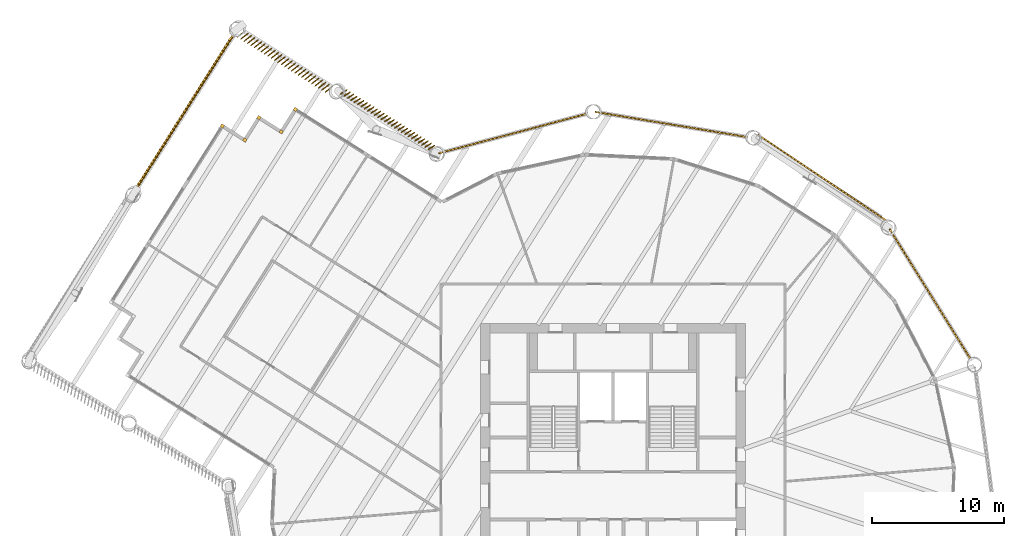
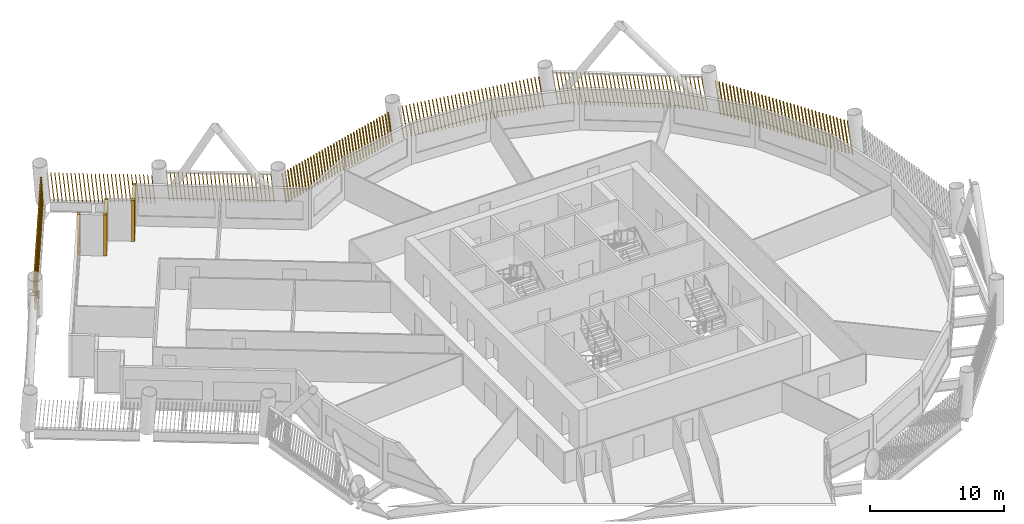
# One storey, part 21 of 22: 12 shading devices.
"""IFC4 building model written with IfcOpenShell, lengths in metres."""

from ifc_helpers import new_model, si_unit, direction, frame, frame_2d, origin, origin_2d, place, context, subcontext, project, spatial, rectangle, composite_profile, extrude, material, type_object, element, save


model = new_model("IFC4")

# Units and contexts
model_context = context("Model", 3, precision=1e-05, world=origin(), true_north=direction((0.0, 1.0)))
body_context = subcontext(model_context, "Body", "Model", "MODEL_VIEW")
ifc_project = project(units=[si_unit("LENGTHUNIT", "METRE"), si_unit("AREAUNIT", "SQUARE_METRE"), si_unit("VOLUMEUNIT", "CUBIC_METRE"), si_unit("PLANEANGLEUNIT", "RADIAN"), si_unit("MASSUNIT", "GRAM", prefix="KILO")], contexts=[model_context])

# Site, building, storey
site_placement = place(None, origin())
site = spatial("IfcSite", under=ifc_project, at=site_placement, CompositionType="ELEMENT")
building_placement = place(site_placement, origin())
building = spatial("IfcBuilding", under=site, at=building_placement, Name="Tarsis Ring Headquarters", CompositionType="ELEMENT")
storey_placement = place(building_placement, frame((0.0, 0.0, 147.60009765625)))
storey = spatial("IfcBuildingStorey", under=building, at=storey_placement, Name="L33", CompositionType="ELEMENT", Elevation=147.60009765625)

# Shading devices
ifc_material = material(Name="Terracotta baguette", Category="masonry")
shading_device_type_1 = type_object("IfcShadingDeviceType", Name="Terracotta baguette screen", PredefinedType="USERDEFINED", material=ifc_material)
shading_device_1_placement = place(storey_placement, frame((27.0771484375, 10.235595703125, 0.0), z_axis=(0.0, 0.0, 1.0), x_axis=(-0.528604913621, 0.848858407848, 0.0)))
element("IfcShadingDevice", 1, at=shading_device_1_placement, inside=storey, type_object=shading_device_type_1, Name="Baguette screen L33-11", ObjectType="Terracotta baguette screen", PredefinedType="USERDEFINED", context=body_context, shape_type="SweptSolid", body=[
    extrude(composite_profile([rectangle(XDim=0.06005859375, YDim=0.1201171875, at=frame_2d((0.030029296875, 0.0))), rectangle(XDim=0.06005859375, YDim=0.1201171875, at=frame_2d((0.33251953125, 0.0))), rectangle(XDim=0.06005859375, YDim=0.1201171875, at=frame_2d((0.634765625, 0.0))), rectangle(XDim=0.06005859375, YDim=0.1201171875, at=frame_2d((0.937255859375, 0.0))), rectangle(XDim=0.06005859375, YDim=0.1201171875, at=frame_2d((1.239501953125, 0.0))), rectangle(XDim=0.06005859375, YDim=0.1201171875, at=frame_2d((1.5419921875, 0.0))), rectangle(XDim=0.06005859375, YDim=0.1201171875, at=frame_2d((1.844482421875, 0.0))), rectangle(XDim=0.06005859375, YDim=0.1201171875, at=frame_2d((2.146728515625, 0.0))), rectangle(XDim=0.06005859375, YDim=0.1201171875, at=frame_2d((2.44921875, 0.0))), rectangle(XDim=0.06005859375, YDim=0.1201171875, at=frame_2d((2.751708984375, 0.0))), rectangle(XDim=0.06005859375, YDim=0.1201171875, at=frame_2d((3.053955078125, 0.0))), rectangle(XDim=0.06005859375, YDim=0.1201171875, at=frame_2d((3.3564453125, 0.0))), rectangle(XDim=0.06005859375, YDim=0.1201171875, at=frame_2d((3.65869140625, 0.0))), rectangle(XDim=0.06005859375, YDim=0.1201171875, at=frame_2d((3.961181640625, 0.0))), rectangle(XDim=0.06005859375, YDim=0.1201171875, at=frame_2d((4.263671875, 0.0))), rectangle(XDim=0.06005859375, YDim=0.1201171875, at=frame_2d((4.56591796875, 0.0))), rectangle(XDim=0.06005859375, YDim=0.1201171875, at=frame_2d((4.868408203125, 0.0))), rectangle(XDim=0.06005859375, YDim=0.1201171875, at=frame_2d((5.1708984375, 0.0))), rectangle(XDim=0.06005859375, YDim=0.1201171875, at=frame_2d((5.47314453125, 0.0))), rectangle(XDim=0.06005859375, YDim=0.1201171875, at=frame_2d((5.775634765625, 0.0))), rectangle(XDim=0.06005859375, YDim=0.1201171875, at=frame_2d((6.077880859375, 0.0))), rectangle(XDim=0.06005859375, YDim=0.1201171875, at=frame_2d((6.38037109375, 0.0))), rectangle(XDim=0.06005859375, YDim=0.1201171875, at=frame_2d((6.682861328125, 0.0))), rectangle(XDim=0.06005859375, YDim=0.1201171875, at=frame_2d((6.985107421875, 0.0))), rectangle(XDim=0.06005859375, YDim=0.1201171875, at=frame_2d((7.28759765625, 0.0))), rectangle(XDim=0.06005859375, YDim=0.1201171875, at=frame_2d((7.590087890625, 0.0))), rectangle(XDim=0.06005859375, YDim=0.1201171875, at=frame_2d((7.892333984375, 0.0))), rectangle(XDim=0.06005859375, YDim=0.1201171875, at=frame_2d((8.19482421875, 0.0))), rectangle(XDim=0.06005859375, YDim=0.1201171875, at=frame_2d((8.4970703125, 0.0))), rectangle(XDim=0.06005859375, YDim=0.1201171875, at=frame_2d((8.799560546875, 0.0))), rectangle(XDim=0.06005859375, YDim=0.1201171875, at=frame_2d((9.10205078125, 0.0))), rectangle(XDim=0.06005859375, YDim=0.1201171875, at=frame_2d((9.404296875, 0.0))), rectangle(XDim=0.06005859375, YDim=0.1201171875, at=frame_2d((9.706787109375, 0.0))), rectangle(XDim=0.06005859375, YDim=0.1201171875, at=frame_2d((10.00927734375, 0.0))), rectangle(XDim=0.06005859375, YDim=0.1201171875, at=frame_2d((10.3115234375, 0.0))), rectangle(XDim=0.06005859375, YDim=0.1201171875, at=frame_2d((10.614013671875, 0.0))), rectangle(XDim=0.06005859375, YDim=0.1201171875, at=frame_2d((10.916259765625, 0.0))), rectangle(XDim=0.06005859375, YDim=0.1201171875, at=frame_2d((11.21875, 0.0)))]), origin(), (0.149494784942, 0.001173343351, 0.988761817902), 2.9833984375),
])
shading_device_2_placement = place(storey_placement, frame((20.6591796875, 20.79833984375, 0.0), z_axis=(0.0, 0.0, 1.0), x_axis=(-0.831495789565, 0.555516971959, 0.0)))
element("IfcShadingDevice", 2, at=shading_device_2_placement, inside=storey, type_object=shading_device_type_1, Name="Baguette screen L33-12", ObjectType="Terracotta baguette screen", PredefinedType="USERDEFINED", context=body_context, shape_type="SweptSolid", body=[
    extrude(composite_profile([rectangle(XDim=0.06005859375, YDim=0.1201171875, at=frame_2d((0.030029296875, 0.0))), rectangle(XDim=0.06005859375, YDim=0.1201171875, at=frame_2d((0.33251953125, 0.0))), rectangle(XDim=0.06005859375, YDim=0.1201171875, at=frame_2d((0.634765625, 0.0))), rectangle(XDim=0.06005859375, YDim=0.1201171875, at=frame_2d((0.937255859375, 0.0))), rectangle(XDim=0.06005859375, YDim=0.1201171875, at=frame_2d((1.239501953125, 0.0))), rectangle(XDim=0.06005859375, YDim=0.1201171875, at=frame_2d((1.5419921875, 0.0))), rectangle(XDim=0.06005859375, YDim=0.1201171875, at=frame_2d((1.844482421875, 0.0))), rectangle(XDim=0.06005859375, YDim=0.1201171875, at=frame_2d((2.146728515625, 0.0))), rectangle(XDim=0.06005859375, YDim=0.1201171875, at=frame_2d((2.44921875, 0.0))), rectangle(XDim=0.06005859375, YDim=0.1201171875, at=frame_2d((2.751708984375, 0.0))), rectangle(XDim=0.06005859375, YDim=0.1201171875, at=frame_2d((3.053955078125, 0.0))), rectangle(XDim=0.06005859375, YDim=0.1201171875, at=frame_2d((3.3564453125, 0.0))), rectangle(XDim=0.06005859375, YDim=0.1201171875, at=frame_2d((3.65869140625, 0.0))), rectangle(XDim=0.06005859375, YDim=0.1201171875, at=frame_2d((3.961181640625, 0.0))), rectangle(XDim=0.06005859375, YDim=0.1201171875, at=frame_2d((4.263671875, 0.0))), rectangle(XDim=0.06005859375, YDim=0.1201171875, at=frame_2d((4.56591796875, 0.0))), rectangle(XDim=0.06005859375, YDim=0.1201171875, at=frame_2d((4.868408203125, 0.0))), rectangle(XDim=0.06005859375, YDim=0.1201171875, at=frame_2d((5.1708984375, 0.0))), rectangle(XDim=0.06005859375, YDim=0.1201171875, at=frame_2d((5.47314453125, 0.0))), rectangle(XDim=0.06005859375, YDim=0.1201171875, at=frame_2d((5.775634765625, 0.0))), rectangle(XDim=0.06005859375, YDim=0.1201171875, at=frame_2d((6.077880859375, 0.0))), rectangle(XDim=0.06005859375, YDim=0.1201171875, at=frame_2d((6.38037109375, 0.0))), rectangle(XDim=0.06005859375, YDim=0.1201171875, at=frame_2d((6.682861328125, 0.0))), rectangle(XDim=0.06005859375, YDim=0.1201171875, at=frame_2d((6.985107421875, 0.0))), rectangle(XDim=0.06005859375, YDim=0.1201171875, at=frame_2d((7.28759765625, 0.0))), rectangle(XDim=0.06005859375, YDim=0.1201171875, at=frame_2d((7.590087890625, 0.0))), rectangle(XDim=0.06005859375, YDim=0.1201171875, at=frame_2d((7.892333984375, 0.0))), rectangle(XDim=0.06005859375, YDim=0.1201171875, at=frame_2d((8.19482421875, 0.0))), rectangle(XDim=0.06005859375, YDim=0.1201171875, at=frame_2d((8.4970703125, 0.0))), rectangle(XDim=0.06005859375, YDim=0.1201171875, at=frame_2d((8.799560546875, 0.0))), rectangle(XDim=0.06005859375, YDim=0.1201171875, at=frame_2d((9.10205078125, 0.0))), rectangle(XDim=0.06005859375, YDim=0.1201171875, at=frame_2d((9.404296875, 0.0))), rectangle(XDim=0.06005859375, YDim=0.1201171875, at=frame_2d((9.706787109375, 0.0))), rectangle(XDim=0.06005859375, YDim=0.1201171875, at=frame_2d((10.00927734375, 0.0))), rectangle(XDim=0.06005859375, YDim=0.1201171875, at=frame_2d((10.3115234375, 0.0))), rectangle(XDim=0.06005859375, YDim=0.1201171875, at=frame_2d((10.614013671875, 0.0))), rectangle(XDim=0.06005859375, YDim=0.1201171875, at=frame_2d((10.916259765625, 0.0))), rectangle(XDim=0.06005859375, YDim=0.1201171875, at=frame_2d((11.21875, 0.0)))]), origin(), (0.151423989456, 0.001190248316, 0.988468188019), 2.984375),
])
shading_device_3_placement = place(storey_placement, frame((10.1884765625, 27.094970703125, 0.0), z_axis=(0.0, 0.0, 1.0), x_axis=(-0.986565382528, 0.163385784048, 0.0)))
element("IfcShadingDevice", 3, at=shading_device_3_placement, inside=storey, type_object=shading_device_type_1, Name="Baguette screen L33-13", ObjectType="Terracotta baguette screen", PredefinedType="USERDEFINED", context=body_context, shape_type="SweptSolid", body=[
    extrude(composite_profile([rectangle(XDim=0.06005859375, YDim=0.1201171875, at=frame_2d((0.030029296875, 0.0))), rectangle(XDim=0.06005859375, YDim=0.1201171875, at=frame_2d((0.33251953125, 0.0))), rectangle(XDim=0.06005859375, YDim=0.1201171875, at=frame_2d((0.634765625, 0.0))), rectangle(XDim=0.06005859375, YDim=0.1201171875, at=frame_2d((0.937255859375, 0.0))), rectangle(XDim=0.06005859375, YDim=0.1201171875, at=frame_2d((1.239501953125, 0.0))), rectangle(XDim=0.06005859375, YDim=0.1201171875, at=frame_2d((1.5419921875, 0.0))), rectangle(XDim=0.06005859375, YDim=0.1201171875, at=frame_2d((1.844482421875, 0.0))), rectangle(XDim=0.06005859375, YDim=0.1201171875, at=frame_2d((2.146728515625, 0.0))), rectangle(XDim=0.06005859375, YDim=0.1201171875, at=frame_2d((2.44921875, 0.0))), rectangle(XDim=0.06005859375, YDim=0.1201171875, at=frame_2d((2.751708984375, 0.0))), rectangle(XDim=0.06005859375, YDim=0.1201171875, at=frame_2d((3.053955078125, 0.0))), rectangle(XDim=0.06005859375, YDim=0.1201171875, at=frame_2d((3.3564453125, 0.0))), rectangle(XDim=0.06005859375, YDim=0.1201171875, at=frame_2d((3.65869140625, 0.0))), rectangle(XDim=0.06005859375, YDim=0.1201171875, at=frame_2d((3.961181640625, 0.0))), rectangle(XDim=0.06005859375, YDim=0.1201171875, at=frame_2d((4.263671875, 0.0))), rectangle(XDim=0.06005859375, YDim=0.1201171875, at=frame_2d((4.56591796875, 0.0))), rectangle(XDim=0.06005859375, YDim=0.1201171875, at=frame_2d((4.868408203125, 0.0))), rectangle(XDim=0.06005859375, YDim=0.1201171875, at=frame_2d((5.1708984375, 0.0))), rectangle(XDim=0.06005859375, YDim=0.1201171875, at=frame_2d((5.47314453125, 0.0))), rectangle(XDim=0.06005859375, YDim=0.1201171875, at=frame_2d((5.775634765625, 0.0))), rectangle(XDim=0.06005859375, YDim=0.1201171875, at=frame_2d((6.077880859375, 0.0))), rectangle(XDim=0.06005859375, YDim=0.1201171875, at=frame_2d((6.38037109375, 0.0))), rectangle(XDim=0.06005859375, YDim=0.1201171875, at=frame_2d((6.682861328125, 0.0))), rectangle(XDim=0.06005859375, YDim=0.1201171875, at=frame_2d((6.985107421875, 0.0))), rectangle(XDim=0.06005859375, YDim=0.1201171875, at=frame_2d((7.28759765625, 0.0))), rectangle(XDim=0.06005859375, YDim=0.1201171875, at=frame_2d((7.590087890625, 0.0))), rectangle(XDim=0.06005859375, YDim=0.1201171875, at=frame_2d((7.892333984375, 0.0))), rectangle(XDim=0.06005859375, YDim=0.1201171875, at=frame_2d((8.19482421875, 0.0))), rectangle(XDim=0.06005859375, YDim=0.1201171875, at=frame_2d((8.4970703125, 0.0))), rectangle(XDim=0.06005859375, YDim=0.1201171875, at=frame_2d((8.799560546875, 0.0))), rectangle(XDim=0.06005859375, YDim=0.1201171875, at=frame_2d((9.10205078125, 0.0))), rectangle(XDim=0.06005859375, YDim=0.1201171875, at=frame_2d((9.404296875, 0.0))), rectangle(XDim=0.06005859375, YDim=0.1201171875, at=frame_2d((9.706787109375, 0.0))), rectangle(XDim=0.06005859375, YDim=0.1201171875, at=frame_2d((10.00927734375, 0.0))), rectangle(XDim=0.06005859375, YDim=0.1201171875, at=frame_2d((10.3115234375, 0.0))), rectangle(XDim=0.06005859375, YDim=0.1201171875, at=frame_2d((10.614013671875, 0.0))), rectangle(XDim=0.06005859375, YDim=0.1201171875, at=frame_2d((10.916259765625, 0.0))), rectangle(XDim=0.06005859375, YDim=0.1201171875, at=frame_2d((11.21875, 0.0)))]), origin(), (0.149496137783, 0.001173374656, 0.988761613322), 2.9833984375),
])
shading_device_4_placement = place(storey_placement, frame((-1.8857421875, 28.8857421875, 0.0), z_axis=(0.0, 0.0, 1.0), x_axis=(-0.966207270754, -0.257797069995, 0.0)))
element("IfcShadingDevice", 4, at=shading_device_4_placement, inside=storey, type_object=shading_device_type_1, Name="Baguette screen L33-14", ObjectType="Terracotta baguette screen", PredefinedType="USERDEFINED", context=body_context, shape_type="SweptSolid", body=[
    extrude(composite_profile([rectangle(XDim=0.06005859375, YDim=0.1201171875, at=frame_2d((0.030029296875, 0.0))), rectangle(XDim=0.06005859375, YDim=0.1201171875, at=frame_2d((0.33251953125, 0.0))), rectangle(XDim=0.06005859375, YDim=0.1201171875, at=frame_2d((0.634765625, 0.0))), rectangle(XDim=0.06005859375, YDim=0.1201171875, at=frame_2d((0.937255859375, 0.0))), rectangle(XDim=0.06005859375, YDim=0.1201171875, at=frame_2d((1.239501953125, 0.0))), rectangle(XDim=0.06005859375, YDim=0.1201171875, at=frame_2d((1.5419921875, 0.0))), rectangle(XDim=0.06005859375, YDim=0.1201171875, at=frame_2d((1.844482421875, 0.0))), rectangle(XDim=0.06005859375, YDim=0.1201171875, at=frame_2d((2.146728515625, 0.0))), rectangle(XDim=0.06005859375, YDim=0.1201171875, at=frame_2d((2.44921875, 0.0))), rectangle(XDim=0.06005859375, YDim=0.1201171875, at=frame_2d((2.751708984375, 0.0))), rectangle(XDim=0.06005859375, YDim=0.1201171875, at=frame_2d((3.053955078125, 0.0))), rectangle(XDim=0.06005859375, YDim=0.1201171875, at=frame_2d((3.3564453125, 0.0))), rectangle(XDim=0.06005859375, YDim=0.1201171875, at=frame_2d((3.65869140625, 0.0))), rectangle(XDim=0.06005859375, YDim=0.1201171875, at=frame_2d((3.961181640625, 0.0))), rectangle(XDim=0.06005859375, YDim=0.1201171875, at=frame_2d((4.263671875, 0.0))), rectangle(XDim=0.06005859375, YDim=0.1201171875, at=frame_2d((4.56591796875, 0.0))), rectangle(XDim=0.06005859375, YDim=0.1201171875, at=frame_2d((4.868408203125, 0.0))), rectangle(XDim=0.06005859375, YDim=0.1201171875, at=frame_2d((5.1708984375, 0.0))), rectangle(XDim=0.06005859375, YDim=0.1201171875, at=frame_2d((5.47314453125, 0.0))), rectangle(XDim=0.06005859375, YDim=0.1201171875, at=frame_2d((5.775634765625, 0.0))), rectangle(XDim=0.06005859375, YDim=0.1201171875, at=frame_2d((6.077880859375, 0.0))), rectangle(XDim=0.06005859375, YDim=0.1201171875, at=frame_2d((6.38037109375, 0.0))), rectangle(XDim=0.06005859375, YDim=0.1201171875, at=frame_2d((6.682861328125, 0.0))), rectangle(XDim=0.06005859375, YDim=0.1201171875, at=frame_2d((6.985107421875, 0.0))), rectangle(XDim=0.06005859375, YDim=0.1201171875, at=frame_2d((7.28759765625, 0.0))), rectangle(XDim=0.06005859375, YDim=0.1201171875, at=frame_2d((7.590087890625, 0.0))), rectangle(XDim=0.06005859375, YDim=0.1201171875, at=frame_2d((7.892333984375, 0.0))), rectangle(XDim=0.06005859375, YDim=0.1201171875, at=frame_2d((8.19482421875, 0.0))), rectangle(XDim=0.06005859375, YDim=0.1201171875, at=frame_2d((8.4970703125, 0.0))), rectangle(XDim=0.06005859375, YDim=0.1201171875, at=frame_2d((8.799560546875, 0.0))), rectangle(XDim=0.06005859375, YDim=0.1201171875, at=frame_2d((9.10205078125, 0.0))), rectangle(XDim=0.06005859375, YDim=0.1201171875, at=frame_2d((9.404296875, 0.0))), rectangle(XDim=0.06005859375, YDim=0.1201171875, at=frame_2d((9.706787109375, 0.0))), rectangle(XDim=0.06005859375, YDim=0.1201171875, at=frame_2d((10.00927734375, 0.0))), rectangle(XDim=0.06005859375, YDim=0.1201171875, at=frame_2d((10.3115234375, 0.0))), rectangle(XDim=0.06005859375, YDim=0.1201171875, at=frame_2d((10.614013671875, 0.0))), rectangle(XDim=0.06005859375, YDim=0.1201171875, at=frame_2d((10.916259765625, 0.0))), rectangle(XDim=0.06005859375, YDim=0.1201171875, at=frame_2d((11.21875, 0.0)))]), origin(), (0.14949721228, 0.001172762624, 0.988761451589), 2.9833984375),
])
shading_device_5_placement = place(storey_placement, frame((-13.4599609375, 26.441162109375, 0.0), z_axis=(0.0, 0.0, 1.0), x_axis=(-0.845650024716, 0.533737024221, 0.0)))
element("IfcShadingDevice", 5, at=shading_device_5_placement, inside=storey, type_object=shading_device_type_1, Name="Baguette screen L33-15", ObjectType="Terracotta baguette screen", PredefinedType="USERDEFINED", context=body_context, shape_type="SweptSolid", body=[
    extrude(composite_profile([rectangle(XDim=0.06005859375, YDim=0.1201171875, at=frame_2d((0.030029296875, 0.0))), rectangle(XDim=0.06005859375, YDim=0.1201171875, at=frame_2d((0.33154296875, 0.0))), rectangle(XDim=0.06005859375, YDim=0.1201171875, at=frame_2d((0.63330078125, 0.0))), rectangle(XDim=0.06005859375, YDim=0.1201171875, at=frame_2d((0.934814453125, 0.0))), rectangle(XDim=0.06005859375, YDim=0.1201171875, at=frame_2d((1.236572265625, 0.0))), rectangle(XDim=0.06005859375, YDim=0.1201171875, at=frame_2d((1.5380859375, 0.0))), rectangle(XDim=0.06005859375, YDim=0.1201171875, at=frame_2d((1.83984375, 0.0))), rectangle(XDim=0.06005859375, YDim=0.1201171875, at=frame_2d((2.141357421875, 0.0))), rectangle(XDim=0.06005859375, YDim=0.1201171875, at=frame_2d((2.443115234375, 0.0))), rectangle(XDim=0.06005859375, YDim=0.1201171875, at=frame_2d((2.74462890625, 0.0))), rectangle(XDim=0.06005859375, YDim=0.1201171875, at=frame_2d((3.04638671875, 0.0))), rectangle(XDim=0.06005859375, YDim=0.1201171875, at=frame_2d((3.347900390625, 0.0))), rectangle(XDim=0.06005859375, YDim=0.1201171875, at=frame_2d((3.649658203125, 0.0))), rectangle(XDim=0.06005859375, YDim=0.1201171875, at=frame_2d((3.951171875, 0.0))), rectangle(XDim=0.06005859375, YDim=0.1201171875, at=frame_2d((4.252685546875, 0.0))), rectangle(XDim=0.06005859375, YDim=0.1201171875, at=frame_2d((4.554443359375, 0.0))), rectangle(XDim=0.06005859375, YDim=0.1201171875, at=frame_2d((4.85595703125, 0.0))), rectangle(XDim=0.06005859375, YDim=0.1201171875, at=frame_2d((5.15771484375, 0.0))), rectangle(XDim=0.06005859375, YDim=0.1201171875, at=frame_2d((5.459228515625, 0.0))), rectangle(XDim=0.06005859375, YDim=0.1201171875, at=frame_2d((5.760986328125, 0.0))), rectangle(XDim=0.06005859375, YDim=0.1201171875, at=frame_2d((6.0625, 0.0))), rectangle(XDim=0.06005859375, YDim=0.1201171875, at=frame_2d((6.3642578125, 0.0))), rectangle(XDim=0.06005859375, YDim=0.1201171875, at=frame_2d((6.665771484375, 0.0))), rectangle(XDim=0.06005859375, YDim=0.1201171875, at=frame_2d((6.967529296875, 0.0))), rectangle(XDim=0.06005859375, YDim=0.1201171875, at=frame_2d((7.26904296875, 0.0))), rectangle(XDim=0.06005859375, YDim=0.1201171875, at=frame_2d((7.57080078125, 0.0))), rectangle(XDim=0.06005859375, YDim=0.1201171875, at=frame_2d((7.872314453125, 0.0)))]), origin(), (0.078364363456, 0.155030669818, 0.98479668864), 2.99560546875),
])
shading_device_6_placement = place(storey_placement, frame((-21.188232421875, 30.875732421875, 0.0), z_axis=(0.0, 0.0, 1.0), x_axis=(-0.845645255971, 0.533753514382, 0.0)))
element("IfcShadingDevice", 6, at=shading_device_6_placement, inside=storey, type_object=shading_device_type_1, Name="Baguette screen L33-16", ObjectType="Terracotta baguette screen", PredefinedType="USERDEFINED", context=body_context, shape_type="SweptSolid", body=[
    extrude(composite_profile([rectangle(XDim=0.06005859375, YDim=0.1201171875, at=frame_2d((0.030029296875, 0.0))), rectangle(XDim=0.06005859375, YDim=0.1201171875, at=frame_2d((0.33154296875, 0.0))), rectangle(XDim=0.06005859375, YDim=0.1201171875, at=frame_2d((0.63330078125, 0.0))), rectangle(XDim=0.06005859375, YDim=0.1201171875, at=frame_2d((0.934814453125, 0.0))), rectangle(XDim=0.06005859375, YDim=0.1201171875, at=frame_2d((1.236572265625, 0.0))), rectangle(XDim=0.06005859375, YDim=0.1201171875, at=frame_2d((1.5380859375, 0.0))), rectangle(XDim=0.06005859375, YDim=0.1201171875, at=frame_2d((1.83984375, 0.0))), rectangle(XDim=0.06005859375, YDim=0.1201171875, at=frame_2d((2.141357421875, 0.0))), rectangle(XDim=0.06005859375, YDim=0.1201171875, at=frame_2d((2.443115234375, 0.0))), rectangle(XDim=0.06005859375, YDim=0.1201171875, at=frame_2d((2.74462890625, 0.0))), rectangle(XDim=0.06005859375, YDim=0.1201171875, at=frame_2d((3.04638671875, 0.0))), rectangle(XDim=0.06005859375, YDim=0.1201171875, at=frame_2d((3.347900390625, 0.0))), rectangle(XDim=0.06005859375, YDim=0.1201171875, at=frame_2d((3.649658203125, 0.0))), rectangle(XDim=0.06005859375, YDim=0.1201171875, at=frame_2d((3.951171875, 0.0))), rectangle(XDim=0.06005859375, YDim=0.1201171875, at=frame_2d((4.252685546875, 0.0))), rectangle(XDim=0.06005859375, YDim=0.1201171875, at=frame_2d((4.554443359375, 0.0))), rectangle(XDim=0.06005859375, YDim=0.1201171875, at=frame_2d((4.85595703125, 0.0))), rectangle(XDim=0.06005859375, YDim=0.1201171875, at=frame_2d((5.15771484375, 0.0))), rectangle(XDim=0.06005859375, YDim=0.1201171875, at=frame_2d((5.459228515625, 0.0))), rectangle(XDim=0.06005859375, YDim=0.1201171875, at=frame_2d((5.760986328125, 0.0))), rectangle(XDim=0.06005859375, YDim=0.1201171875, at=frame_2d((6.0625, 0.0))), rectangle(XDim=0.06005859375, YDim=0.1201171875, at=frame_2d((6.3642578125, 0.0))), rectangle(XDim=0.06005859375, YDim=0.1201171875, at=frame_2d((6.665771484375, 0.0))), rectangle(XDim=0.06005859375, YDim=0.1201171875, at=frame_2d((6.967529296875, 0.0))), rectangle(XDim=0.06005859375, YDim=0.1201171875, at=frame_2d((7.26904296875, 0.0))), rectangle(XDim=0.06005859375, YDim=0.1201171875, at=frame_2d((7.57080078125, 0.0))), rectangle(XDim=0.06005859375, YDim=0.1201171875, at=frame_2d((7.872314453125, 0.0)))]), origin(), (0.075417963015, 0.200074762574, 0.976873697177), 3.019775390625),
])
shading_device_7_placement = place(storey_placement, frame((-28.560302734375, 34.9375, 0.0), z_axis=(0.0, 0.0, 1.0), x_axis=(-0.533763821318, -0.845625829279, 0.0)))
element("IfcShadingDevice", 7, at=shading_device_7_placement, inside=storey, type_object=shading_device_type_1, Name="Baguette screen L33-17", ObjectType="Terracotta baguette screen", PredefinedType="USERDEFINED", context=body_context, shape_type="SweptSolid", body=[
    extrude(composite_profile([rectangle(XDim=0.06005859375, YDim=0.1201171875, at=frame_2d((0.030029296875, 0.0))), rectangle(XDim=0.06005859375, YDim=0.1201171875, at=frame_2d((0.33544921875, 0.0))), rectangle(XDim=0.06005859375, YDim=0.1201171875, at=frame_2d((0.640625, 0.0))), rectangle(XDim=0.06005859375, YDim=0.1201171875, at=frame_2d((0.946044921875, 0.0))), rectangle(XDim=0.06005859375, YDim=0.1201171875, at=frame_2d((1.25146484375, 0.0))), rectangle(XDim=0.06005859375, YDim=0.1201171875, at=frame_2d((1.556640625, 0.0))), rectangle(XDim=0.06005859375, YDim=0.1201171875, at=frame_2d((1.862060546875, 0.0))), rectangle(XDim=0.06005859375, YDim=0.1201171875, at=frame_2d((2.16748046875, 0.0))), rectangle(XDim=0.06005859375, YDim=0.1201171875, at=frame_2d((2.47265625, 0.0))), rectangle(XDim=0.06005859375, YDim=0.1201171875, at=frame_2d((2.778076171875, 0.0))), rectangle(XDim=0.06005859375, YDim=0.1201171875, at=frame_2d((3.08349609375, 0.0))), rectangle(XDim=0.06005859375, YDim=0.1201171875, at=frame_2d((3.388671875, 0.0))), rectangle(XDim=0.06005859375, YDim=0.1201171875, at=frame_2d((3.694091796875, 0.0))), rectangle(XDim=0.06005859375, YDim=0.1201171875, at=frame_2d((3.99951171875, 0.0))), rectangle(XDim=0.06005859375, YDim=0.1201171875, at=frame_2d((4.3046875, 0.0))), rectangle(XDim=0.06005859375, YDim=0.1201171875, at=frame_2d((4.610107421875, 0.0))), rectangle(XDim=0.06005859375, YDim=0.1201171875, at=frame_2d((4.91552734375, 0.0))), rectangle(XDim=0.06005859375, YDim=0.1201171875, at=frame_2d((5.220703125, 0.0))), rectangle(XDim=0.06005859375, YDim=0.1201171875, at=frame_2d((5.526123046875, 0.0))), rectangle(XDim=0.06005859375, YDim=0.1201171875, at=frame_2d((5.83154296875, 0.0))), rectangle(XDim=0.06005859375, YDim=0.1201171875, at=frame_2d((6.13671875, 0.0))), rectangle(XDim=0.06005859375, YDim=0.1201171875, at=frame_2d((6.442138671875, 0.0))), rectangle(XDim=0.06005859375, YDim=0.1201171875, at=frame_2d((6.74755859375, 0.0))), rectangle(XDim=0.06005859375, YDim=0.1201171875, at=frame_2d((7.052734375, 0.0))), rectangle(XDim=0.06005859375, YDim=0.1201171875, at=frame_2d((7.358154296875, 0.0))), rectangle(XDim=0.06005859375, YDim=0.1201171875, at=frame_2d((7.66357421875, 0.0))), rectangle(XDim=0.06005859375, YDim=0.1201171875, at=frame_2d((7.96875, 0.0))), rectangle(XDim=0.06005859375, YDim=0.1201171875, at=frame_2d((8.274169921875, 0.0))), rectangle(XDim=0.06005859375, YDim=0.1201171875, at=frame_2d((8.57958984375, 0.0))), rectangle(XDim=0.06005859375, YDim=0.1201171875, at=frame_2d((8.884765625, 0.0))), rectangle(XDim=0.06005859375, YDim=0.1201171875, at=frame_2d((9.190185546875, 0.0))), rectangle(XDim=0.06005859375, YDim=0.1201171875, at=frame_2d((9.49560546875, 0.0))), rectangle(XDim=0.06005859375, YDim=0.1201171875, at=frame_2d((9.80078125, 0.0))), rectangle(XDim=0.06005859375, YDim=0.1201171875, at=frame_2d((10.106201171875, 0.0))), rectangle(XDim=0.06005859375, YDim=0.1201171875, at=frame_2d((10.41162109375, 0.0))), rectangle(XDim=0.06005859375, YDim=0.1201171875, at=frame_2d((10.716796875, 0.0))), rectangle(XDim=0.06005859375, YDim=0.1201171875, at=frame_2d((11.022216796875, 0.0))), rectangle(XDim=0.06005859375, YDim=0.1201171875, at=frame_2d((11.32763671875, 0.0))), rectangle(XDim=0.06005859375, YDim=0.1201171875, at=frame_2d((11.6328125, 0.0))), rectangle(XDim=0.06005859375, YDim=0.1201171875, at=frame_2d((11.938232421875, 0.0))), rectangle(XDim=0.06005859375, YDim=0.1201171875, at=frame_2d((12.24365234375, 0.0))), rectangle(XDim=0.06005859375, YDim=0.1201171875, at=frame_2d((12.548828125, 0.0))), rectangle(XDim=0.06005859375, YDim=0.1201171875, at=frame_2d((12.854248046875, 0.0))), rectangle(XDim=0.06005859375, YDim=0.1201171875, at=frame_2d((13.15966796875, 0.0))), rectangle(XDim=0.06005859375, YDim=0.1201171875, at=frame_2d((13.46484375, 0.0))), rectangle(XDim=0.06005859375, YDim=0.1201171875, at=frame_2d((13.770263671875, 0.0)))]), origin(), (0.222332509524, -0.036643195424, 0.974282059487), 3.02783203125),
])
shading_device_type_2 = type_object("IfcShadingDeviceType", Name="Terracotta corner baguette 250x250", PredefinedType="USERDEFINED", material=ifc_material)
for number, where, z_axis, x_axis, name in (
    (8, (-23.998779296875, 29.190673828125, 0.0), (0.0, 0.0, 1.0), (-0.845634712785, 0.533762056102, 0.0), "Corner baguette L33-32"),
    (9, (-25.066162109375, 27.499267578125, 0.0), (0.0, 0.0, 1.0), (-0.533762469357, -0.845634451939, 0.0), "Corner baguette L33-33"),
    (10, (-26.757568359375, 28.56689453125, 0.0), (0.0, 0.0, 1.0), (-0.845634675521, 0.533762115138, 0.0), "Corner baguette L33-34"),
    (11, (-27.824951171875, 26.875732421875, 0.0), (0.0, 0.0, 1.0), (-0.533761878992, -0.845634824575, 0.0), "Corner baguette L33-35"),
    (12, (-29.516357421875, 27.943115234375, 0.0), (0.0, 0.0, 1.0), (-0.845634451939, 0.533762469357, 0.0), "Corner baguette L33-36"),
):
    element("IfcShadingDevice", number, at=place(storey_placement, frame(where, z_axis=z_axis, x_axis=x_axis)), inside=storey, type_object=shading_device_type_2, Name=name, ObjectType="Terracotta corner baguette", PredefinedType="USERDEFINED", context=body_context, shape_type="SweptSolid", body=[
        extrude(rectangle(XDim=0.25, YDim=0.25, at=origin_2d()), origin(), (0.0, 0.0, 1.0), 3.739990234375),
    ])

save(model, "model.ifc")
